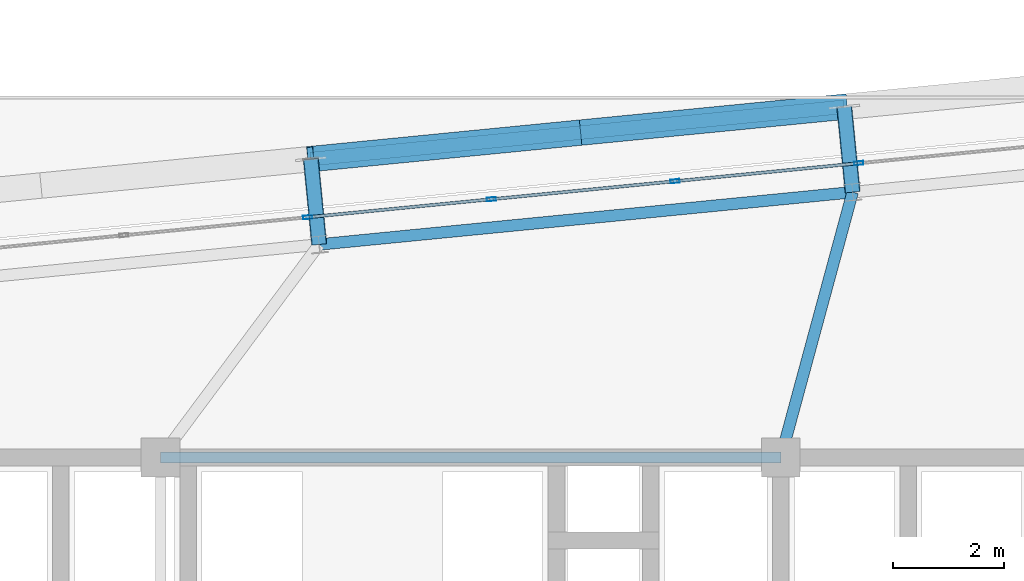
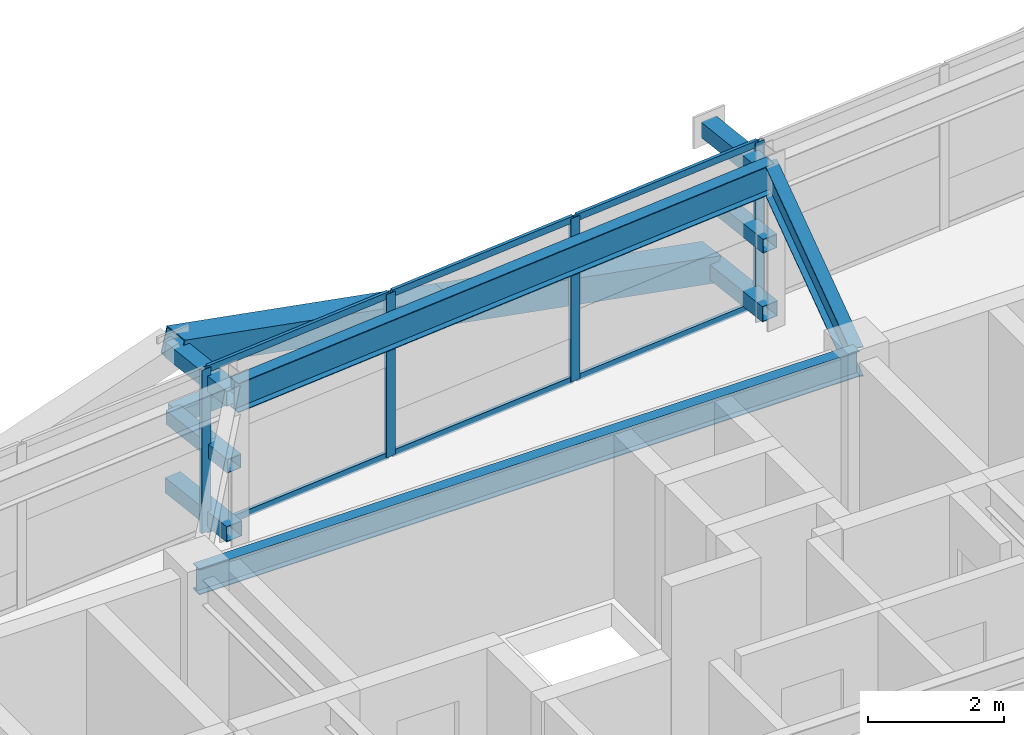
# One storey, part 29 of 51: 19 members, 3 beams, 1 element without a shape of its own.
"""IFC4 building model written with IfcOpenShell, lengths in metres."""

from ifc_helpers import new_model, si_unit, direction, frame, origin, origin_2d, place, context, subcontext, project, spatial, hollow_rectangle, i_section, extrude, source, transform, mapped, material, layer, layer_set, material_profile, profile_set, type_object, element, aggregate, save


model = new_model("IFC4")

# Units and contexts
model_context = context("Model", 3, precision=1e-05, world=origin(), true_north=direction((0.0, 1.0)))
body_context = subcontext(model_context, "Body", "Model", "MODEL_VIEW")
ifc_project = project(units=[si_unit("LENGTHUNIT", "METRE"), si_unit("AREAUNIT", "SQUARE_METRE"), si_unit("VOLUMEUNIT", "CUBIC_METRE"), si_unit("PLANEANGLEUNIT", "RADIAN"), si_unit("MASSUNIT", "GRAM", prefix="KILO")], contexts=[model_context])

# Site, building, storey
site_placement = place(None, origin())
site = spatial("IfcSite", under=ifc_project, at=site_placement, CompositionType="ELEMENT")
building_placement = place(site_placement, origin())
building = spatial("IfcBuilding", under=site, at=building_placement, Name="Taldren Reach Tower", CompositionType="ELEMENT")
storey_placement = place(building_placement, frame((0.0, 0.0, 65.10009765625)))
storey = spatial("IfcBuildingStorey", under=building, at=storey_placement, Name="L19", CompositionType="ELEMENT", Elevation=65.10009765625)

# Beam
ifc_material_1 = material(Name="Steel Gr 350 (350PLUS)", Category="steel")
ifc_material_profile_1 = material_profile(ifc_material_1, i_section(OverallWidth=0.19091796875, OverallDepth=0.4599609375, WebThickness=0.010009765625, FlangeThickness=0.01611328125, at=origin_2d()), Name="460UB82.1")
ifc_profile_set_1 = profile_set([ifc_material_profile_1], Name="Steel Gr 350 (350PLUS)")
beam_type_1 = type_object("IfcBeamType", Name="BM-UB460A", PredefinedType="BEAM", material=ifc_profile_set_1)
shared_shape_1 = source(origin(), body_context, "Body", "SweptSolid", [
    extrude(i_section(OverallWidth=0.19091796875, OverallDepth=0.4599609375, WebThickness=0.010009765625, FlangeThickness=0.01611328125, at=origin_2d()), origin(), (0.0, 0.0, 1.0), 11.199951171875),
])
beam_1_placement = place(storey_placement, frame((28.0, 32.0, 2.699951171875), z_axis=(1.0, 0.0, 0.0), x_axis=(0.0, 1.0, 0.0)))
element("IfcBeam", 1, at=beam_1_placement, inside=storey, type_object=beam_type_1, Name="Core-spine girder L19-SP05", PredefinedType="BEAM", context=body_context, shape_type="MappedRepresentation", body=[
    mapped(shared_shape_1, transform((0.0, 0.0, 0.0), scale=1.0)),
])

# Members
ifc_material_2 = material(Name="Steel Gr 450 (C450L0)", Category="steel")
ifc_material_profile_2 = material_profile(ifc_material_2, hollow_rectangle(XDim=0.27490234375, YDim=0.27490234375, WallThickness=0.00927734375, at=origin_2d()), Name="275x275x9.3SHS")
ifc_profile_set_2 = profile_set([ifc_material_profile_2], Name="Steel Gr 450 (C450L0)")
member_type_1 = type_object("IfcMemberType", Name="MB-TIE273", PredefinedType="STRUT", material=ifc_profile_set_2)
shared_shape_2 = source(origin(), body_context, "Body", "SweptSolid", [
    extrude(hollow_rectangle(XDim=0.27490234375, YDim=0.27490234375, WallThickness=0.00927734375, at=origin_2d()), origin(), (0.0, 0.0, 1.0), 1.5498046875),
])
for number, where, z_axis, x_axis, name in (
    (2, (30.864501953125, 35.84619140625, 2.64990234375), (-0.097663201064, 0.995219523099, 0.0), (-0.995219523099, -0.097663201064, 0.0), "Exoskeleton diaphragm tie strut B2-N3 L19"),
    (3, (30.864501953125, 35.84619140625, 0.219970703125), (-0.097663201064, 0.995219523099, 0.0), (-0.995219523099, -0.097663201064, 0.0), "Exoskeleton base diaphragm tie strut B2-N3 L19"),
    (4, (40.498291015625, 36.790771484375, 2.64990234375), (-0.097663201064, 0.995219523099, 0.0), (-0.995219523099, -0.097663201064, 0.0), "Exoskeleton diaphragm tie strut B2-N4 L19"),
    (5, (40.498291015625, 36.790771484375, 0.219970703125), (-0.097663201064, 0.995219523099, 0.0), (-0.995219523099, -0.097663201064, 0.0), "Exoskeleton base diaphragm tie strut B2-N4 L19"),
):
    element("IfcMember", number, at=place(storey_placement, frame(where, z_axis=z_axis, x_axis=x_axis)), inside=storey, type_object=member_type_1, Name=name, PredefinedType="STRUT", context=body_context, shape_type="MappedRepresentation", body=[
        mapped(shared_shape_2, transform((0.0, 0.0, 0.0), scale=1.0)),
    ])
ifc_material_3 = material(Name="Steel Gr 350 (C350L0)", Category="steel")
ifc_material_profile_3 = material_profile(ifc_material_3, hollow_rectangle(XDim=0.25, YDim=0.25, WallThickness=0.010009765625, at=origin_2d()), Name="250x250x10.0SHS")
ifc_profile_set_3 = profile_set([ifc_material_profile_3], Name="Steel Gr 350 (C350L0)")
member_type_2 = type_object("IfcMemberType", Name="MB-POST250", PredefinedType="POST", material=ifc_profile_set_3)
shared_shape_3 = source(origin(), body_context, "Body", "SweptSolid", [
    extrude(hollow_rectangle(XDim=0.25, YDim=0.25, WallThickness=0.010009765625, at=origin_2d()), origin(), (0.0, 0.0, 1.0), 1.5498046875),
])
for number, where, z_axis, x_axis, name in (
    (6, (30.864501953125, 35.84619140625, 1.434814453125), (-0.097663201064, 0.995219523099, 0.0), (-0.995219523099, -0.097663201064, 0.0), "Exoskeleton mid-tier diaphragm tie B2-N3 L19"),
    (7, (40.498291015625, 36.790771484375, 1.434814453125), (-0.097663201064, 0.995219523099, 0.0), (-0.995219523099, -0.097663201064, 0.0), "Exoskeleton mid-tier diaphragm tie B2-N4 L19"),
):
    element("IfcMember", number, at=place(storey_placement, frame(where, z_axis=z_axis, x_axis=x_axis)), inside=storey, type_object=member_type_2, Name=name, PredefinedType="POST", context=body_context, shape_type="MappedRepresentation", body=[
        mapped(shared_shape_3, transform((0.0, 0.0, 0.0), scale=1.0)),
    ])

# Beams
ifc_material_profile_4 = material_profile(ifc_material_1, i_section(OverallWidth=0.208984375, OverallDepth=0.528076171875, WebThickness=0.009521484375, FlangeThickness=0.01318359375, at=origin_2d()), Name="530UB82.0")
ifc_profile_set_4 = profile_set([ifc_material_profile_4], Name="Steel Gr 350 (350PLUS)")
beam_type_2 = type_object("IfcBeamType", Name="SP-UB530B", PredefinedType="SPANDREL", material=ifc_profile_set_4)
shared_shape_4 = source(origin(), body_context, "Body", "SweptSolid", [
    extrude(i_section(OverallWidth=0.208984375, OverallDepth=0.528076171875, WebThickness=0.009521484375, FlangeThickness=0.01318359375, at=origin_2d()), origin(), (0.0, 0.0, 1.0), 9.679931640625),
])
beam_2_placement = place(storey_placement, frame((40.498291015625, 36.790771484375, 2.666015625), z_axis=(-0.995227612658, -0.097580730699, 0.0), x_axis=(0.097580730699, -0.995227612658, 0.0)))
element("IfcBeam", 8, at=beam_2_placement, inside=storey, type_object=beam_type_2, Name="Perimeter spandrel B2 N4-N3 L19", PredefinedType="SPANDREL", context=body_context, shape_type="MappedRepresentation", body=[
    mapped(shared_shape_4, transform((0.0, 0.0, 0.0), scale=1.0)),
])
ifc_material_profile_5 = material_profile(ifc_material_1, i_section(OverallWidth=0.208984375, OverallDepth=0.532958984375, WebThickness=0.01025390625, FlangeThickness=0.015625, at=origin_2d()), Name="530UB92.4")
ifc_profile_set_5 = profile_set([ifc_material_profile_5], Name="Steel Gr 350 (350PLUS)")
beam_type_3 = type_object("IfcBeamType", Name="BM-UB530A", PredefinedType="BEAM", material=ifc_profile_set_5)
shared_shape_5 = source(origin(), body_context, "Body", "SweptSolid", [
    extrude(i_section(OverallWidth=0.208984375, OverallDepth=0.532958984375, WebThickness=0.01025390625, FlangeThickness=0.015625, at=origin_2d()), origin(), (0.0, 0.0, 1.0), 4.963623046875),
])
beam_3_placement = place(storey_placement, frame((39.199951171875, 32.0, 2.663330078125), z_axis=(0.261572995851, 0.965183696423, 0.0), x_axis=(-0.965183696423, 0.261572995851, 0.0)))
element("IfcBeam", 9, at=beam_3_placement, inside=storey, type_object=beam_type_3, Name="Primary floor girder B2-N4 L19", PredefinedType="BEAM", context=body_context, shape_type="MappedRepresentation", body=[
    mapped(shared_shape_5, transform((0.0, 0.0, 0.0), scale=1.0)),
])

# Members
ifc_material_profile_6 = material_profile(ifc_material_2, hollow_rectangle(XDim=0.4599609375, YDim=0.4599609375, WallThickness=0.01611328125, at=origin_2d()), Name="460x460x16.0SHS")
ifc_profile_set_6 = profile_set([ifc_material_profile_6], Name="Steel Gr 450 (C450L0)")
member_type_3 = type_object("IfcMemberType", Name="MB-EXO457", PredefinedType="BRACE", material=ifc_profile_set_6)
shared_shape_6 = source(origin(), body_context, "Body", "SweptSolid", [
    extrude(hollow_rectangle(XDim=0.4599609375, YDim=0.4599609375, WallThickness=0.01611328125, at=origin_2d()), origin(), (0.0, 0.0, 1.0), 4.990234375),
])
for number, where, z_axis, x_axis, name in (
    (10, (40.346923828125, 38.333251953125, 0.219970703125), (-0.965287024526, -0.094620633828, 0.24344998652), (0.097555749586, -0.995230061706, 0.0), "Exoskeleton Diagrid Brace B2-N3 L19"),
    (11, (35.530029296875, 37.861083984375, 1.434814453125), (-0.965271056716, -0.094667992638, 0.243494883389), (0.097605711627, -0.995225162995, 0.0), "Exoskeleton Diagrid Brace B2-N3 L19"),
):
    element("IfcMember", number, at=place(storey_placement, frame(where, z_axis=z_axis, x_axis=x_axis)), inside=storey, type_object=member_type_3, Name=name, PredefinedType="BRACE", context=body_context, shape_type="MappedRepresentation", body=[
        mapped(shared_shape_6, transform((0.0, 0.0, 0.0), scale=1.0)),
    ])
shared_shape_7 = source(origin(), body_context, "Body", "SweptSolid", [
    extrude(hollow_rectangle(XDim=0.25, YDim=0.25, WallThickness=0.010009765625, at=origin_2d()), origin(), (0.0, 0.0, 1.0), 9.679931640625),
])
member_1_placement = place(storey_placement, frame((30.713134765625, 37.388671875, 1.434814453125), z_axis=(0.995227612658, 0.097580730699, 0.0), x_axis=(-0.097580730699, 0.995227612658, 0.0)))
element("IfcMember", 12, at=member_1_placement, inside=storey, type_object=member_type_2, Name="Exoskeleton mid-height ring chord B2-N3 L19", PredefinedType="POST", context=body_context, shape_type="MappedRepresentation", body=[
    mapped(shared_shape_7, transform((0.0, 0.0, 0.0), scale=1.0)),
])

# Curtain wall, members
ifc_material_4 = material(Name="Aluminium and Low-E Glass Unitised System", Category="aluminium")
ifc_layer = layer(ifc_material_4, 0.159912109375)
ifc_layer_set = layer_set([ifc_layer], Name="Aluminium and Low-E Glass Unitised System")
curtain_wall_type = type_object("IfcCurtainWallType", Name="CW-SYS-3", PredefinedType="NOTDEFINED", material=ifc_layer_set)
curtain_wall_placement = place(storey_placement, origin())
curtain_wall = element("IfcCurtainWall", 13, at=curtain_wall_placement, inside=storey, type_object=curtain_wall_type, Name="Unitised curtain wall CW-L19-N", PredefinedType="NOTDEFINED")
ifc_material_5 = material(Name="Anodised Aluminium 6063-T6", Category="aluminium")
ifc_material_profile_7 = material_profile(ifc_material_5, hollow_rectangle(XDim=0.06494140625, YDim=0.1650390625, WallThickness=0.00390625, at=origin_2d()), Name="ALU-165x65x4RHS")
ifc_profile_set_7 = profile_set([ifc_material_profile_7], Name="Anodised Aluminium 6063-T6")
member_type_4 = type_object("IfcMemberType", Name="CW-MUL-165", PredefinedType="MULLION", material=ifc_profile_set_7)
shared_shape_8 = source(origin(), body_context, "Body", "SweptSolid", [
    extrude(hollow_rectangle(XDim=0.06494140625, YDim=0.1650390625, WallThickness=0.00390625, at=origin_2d()), origin(), (0.0, 0.0, 1.0), 2.929931640625),
])
member_2_placement = place(storey_placement, frame((40.607666015625, 37.31396484375, 0.0), z_axis=(0.0, 0.0, 1.0), x_axis=(0.097582999046, -0.995227390247, 0.0)))
member_2 = element("IfcMember", 14, at=member_2_placement, type_object=member_type_4, Name="CW-3 mullion 7", PredefinedType="MULLION", context=body_context, shape_type="MappedRepresentation", body=[
    mapped(shared_shape_8, transform((0.0, 0.0, 0.0), scale=1.0)),
])
member_3_placement = place(storey_placement, frame((37.290283203125, 36.988525390625, 0.0), z_axis=(0.0, 0.0, 1.0), x_axis=(0.097582999046, -0.995227390247, 0.0)))
member_3 = element("IfcMember", 15, at=member_3_placement, type_object=member_type_4, Name="CW-3 mullion 8", PredefinedType="MULLION", context=body_context, shape_type="MappedRepresentation", body=[
    mapped(shared_shape_8, transform((0.0, 0.0, 0.0), scale=1.0)),
])
member_4_placement = place(storey_placement, frame((33.972900390625, 36.663330078125, 0.0), z_axis=(0.0, 0.0, 1.0), x_axis=(0.097582999046, -0.995227390247, 0.0)))
member_4 = element("IfcMember", 16, at=member_4_placement, type_object=member_type_4, Name="CW-3 mullion 9", PredefinedType="MULLION", context=body_context, shape_type="MappedRepresentation", body=[
    mapped(shared_shape_8, transform((0.0, 0.0, 0.0), scale=1.0)),
])
member_5_placement = place(storey_placement, frame((30.655517578125, 36.338134765625, 0.0), z_axis=(0.0, 0.0, 1.0), x_axis=(0.097582999046, -0.995227390247, 0.0)))
member_5 = element("IfcMember", 17, at=member_5_placement, type_object=member_type_4, Name="CW-3 mullion 10", PredefinedType="MULLION", context=body_context, shape_type="MappedRepresentation", body=[
    mapped(shared_shape_8, transform((0.0, 0.0, 0.0), scale=1.0)),
])
ifc_material_profile_8 = material_profile(ifc_material_5, hollow_rectangle(XDim=0.054931640625, YDim=0.1201171875, WallThickness=0.0029296875, at=origin_2d()), Name="ALU-120x55x3RHS")
ifc_profile_set_8 = profile_set([ifc_material_profile_8], Name="Anodised Aluminium 6063-T6")
member_type_5 = type_object("IfcMemberType", Name="CW-TRN-135", PredefinedType="USERDEFINED", material=ifc_profile_set_8)
shared_shape_9 = source(origin(), body_context, "Body", "SweptSolid", [
    extrude(hollow_rectangle(XDim=0.054931640625, YDim=0.1201171875, WallThickness=0.0029296875, at=origin_2d()), origin(), (0.0, 0.0, 1.0), 3.268310546875),
])
member_6_placement = place(storey_placement, frame((37.2578125, 36.9853515625, 0.02734375), z_axis=(-0.99522980512, -0.097558367146, 0.0), x_axis=(0.097558367146, -0.99522980512, 0.0)))
member_6 = element("IfcMember", 18, at=member_6_placement, type_object=member_type_5, Name="CW-3 transom 8.1", ObjectType="TRANSOM", PredefinedType="USERDEFINED", context=body_context, shape_type="MappedRepresentation", body=[
    mapped(shared_shape_9, transform((0.0, 0.0, 0.0), scale=1.0)),
])
member_7_placement = place(storey_placement, frame((37.2578125, 36.9853515625, 2.90234375), z_axis=(-0.99522980512, -0.097558367146, 0.0), x_axis=(0.097558367146, -0.99522980512, 0.0)))
member_7 = element("IfcMember", 19, at=member_7_placement, type_object=member_type_5, Name="CW-3 transom 8.2", ObjectType="TRANSOM", PredefinedType="USERDEFINED", context=body_context, shape_type="MappedRepresentation", body=[
    mapped(shared_shape_9, transform((0.0, 0.0, 0.0), scale=1.0)),
])
member_8_placement = place(storey_placement, frame((33.9404296875, 36.66015625, 0.02734375), z_axis=(-0.99522980512, -0.097558367146, 0.0), x_axis=(0.097558367146, -0.99522980512, 0.0)))
member_8 = element("IfcMember", 20, at=member_8_placement, type_object=member_type_5, Name="CW-3 transom 9.1", ObjectType="TRANSOM", PredefinedType="USERDEFINED", context=body_context, shape_type="MappedRepresentation", body=[
    mapped(shared_shape_9, transform((0.0, 0.0, 0.0), scale=1.0)),
])
member_9_placement = place(storey_placement, frame((33.9404296875, 36.66015625, 2.90234375), z_axis=(-0.99522980512, -0.097558367146, 0.0), x_axis=(0.097558367146, -0.99522980512, 0.0)))
member_9 = element("IfcMember", 21, at=member_9_placement, type_object=member_type_5, Name="CW-3 transom 9.2", ObjectType="TRANSOM", PredefinedType="USERDEFINED", context=body_context, shape_type="MappedRepresentation", body=[
    mapped(shared_shape_9, transform((0.0, 0.0, 0.0), scale=1.0)),
])
shared_shape_10 = source(origin(), body_context, "Body", "SweptSolid", [
    extrude(hollow_rectangle(XDim=0.054931640625, YDim=0.1201171875, WallThickness=0.0029296875, at=origin_2d()), origin(), (0.0, 0.0, 1.0), 3.2685546875),
])
member_10_placement = place(storey_placement, frame((40.575439453125, 37.310791015625, 0.02734375), z_axis=(-0.995223261527, -0.09762509778, 0.0), x_axis=(0.09762509778, -0.995223261527, 0.0)))
member_10 = element("IfcMember", 22, at=member_10_placement, type_object=member_type_5, Name="CW-3 transom 7.1", ObjectType="TRANSOM", PredefinedType="USERDEFINED", context=body_context, shape_type="MappedRepresentation", body=[
    mapped(shared_shape_10, transform((0.0, 0.0, 0.0), scale=1.0)),
])
member_11_placement = place(storey_placement, frame((40.575439453125, 37.310791015625, 2.90234375), z_axis=(-0.995223261527, -0.09762509778, 0.0), x_axis=(0.09762509778, -0.995223261527, 0.0)))
member_11 = element("IfcMember", 23, at=member_11_placement, type_object=member_type_5, Name="CW-3 transom 7.2", ObjectType="TRANSOM", PredefinedType="USERDEFINED", context=body_context, shape_type="MappedRepresentation", body=[
    mapped(shared_shape_10, transform((0.0, 0.0, 0.0), scale=1.0)),
])
aggregate(curtain_wall, [member_2, member_3, member_4, member_5, member_10, member_11, member_6, member_7, member_8, member_9])

save(model, "model.ifc")
